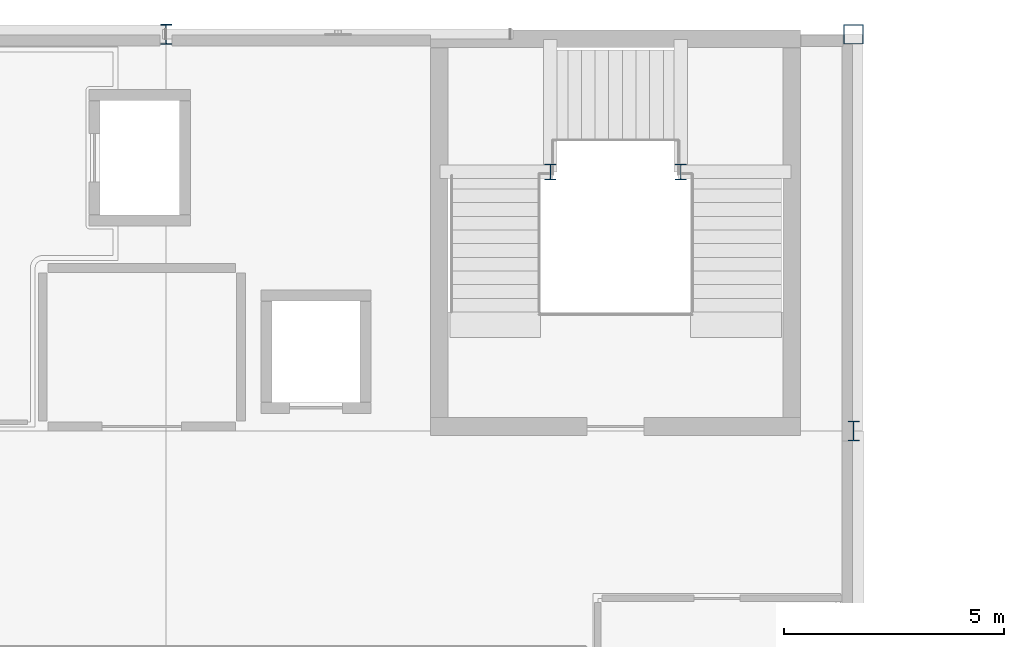
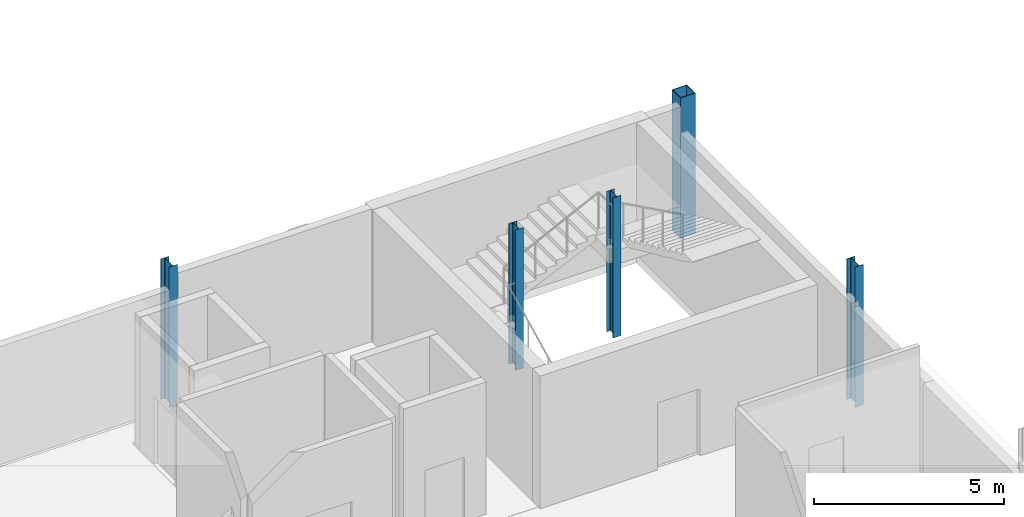
# One storey, part 9 of 85: 5 columns.
"""IFC4 building model written with IfcOpenShell, lengths in metres."""

from ifc_helpers import new_model, si_unit, derived_unit, direction, frame, origin, origin_2d, place, context, subcontext, project, spatial, hollow_rectangle, i_section, extrude, material, material_profile, profile_set, type_object, element, save


model = new_model("IFC4")

# Units and contexts
model_context = context("Model", 3, precision=1e-05, world=origin(), true_north=direction((0.0, 1.0)))
body_context = subcontext(model_context, "Body", "Model", "MODEL_VIEW")
ifc_project = project(units=[si_unit("LENGTHUNIT", "METRE"), si_unit("AREAUNIT", "SQUARE_METRE"), si_unit("VOLUMEUNIT", "CUBIC_METRE"), si_unit("PLANEANGLEUNIT", "RADIAN"), si_unit("MASSUNIT", "GRAM", prefix="KILO"), derived_unit("THERMALTRANSMITTANCEUNIT", [(si_unit("POWERUNIT", "WATT"), 1), (si_unit("LENGTHUNIT", "METRE"), -2), (si_unit("THERMODYNAMICTEMPERATUREUNIT", "KELVIN"), -1)])], contexts=[model_context])

# Site, building, storey
site_placement = place(None, origin())
site = spatial("IfcSite", under=ifc_project, at=site_placement, CompositionType="ELEMENT")
building_placement = place(site_placement, origin())
building = spatial("IfcBuilding", under=site, at=building_placement, Name="Nallur Shell Playhouse", CompositionType="ELEMENT")
storey_placement = place(building_placement, frame((0.0, 0.0, 19.800048828125)))
storey = spatial("IfcBuildingStorey", under=building, at=storey_placement, Name="L05", CompositionType="ELEMENT", Elevation=19.800048828125)

# Columns
ifc_material = material(Name="Steel E350", Category="steel")
ifc_material_profile_1 = material_profile(ifc_material, hollow_rectangle(XDim=0.449951171875, YDim=0.449951171875, WallThickness=0.02001953125, at=origin_2d()), Name="BOX 450x450x20")
ifc_profile_set_1 = profile_set([ifc_material_profile_1], Name="Steel E350")
column_type_1 = type_object("IfcColumnType", Name="CL-ST-BOX450", PredefinedType="COLUMN", material=ifc_profile_set_1)
column_placement = place(storey_placement, frame((103.0, 83.0, 0.0), z_axis=(0.0, 0.0, 1.0), x_axis=(1.0, 0.0, 0.0)))
element("IfcColumn", 1, at=column_placement, inside=storey, type_object=column_type_1, Name="Column 13-K (L05)", PredefinedType="COLUMN", context=body_context, shape_type="SweptSolid", body=[
    extrude(hollow_rectangle(XDim=0.449951171875, YDim=0.449951171875, WallThickness=0.02001953125, at=origin_2d()), origin(), (0.0, 0.0, 1.0), 4.5),
])
ifc_material_profile_2 = material_profile(ifc_material, i_section(OverallWidth=0.25, OverallDepth=0.35009765625, WebThickness=0.010009765625, FlangeThickness=0.01171875, FilletRadius=0.011962890625, at=origin_2d()), Name="ISHB 350")
ifc_profile_set_2 = profile_set([ifc_material_profile_2], Name="Steel E350")
column_type_2 = type_object("IfcColumnType", Name="CL-ST-ISHB350", PredefinedType="COLUMN", material=ifc_profile_set_2)
for number, where, z_axis, x_axis, name in (
    (2, (96.1201171875, 79.8798828125, 0.0), (0.0, 0.0, 1.0), (1.0, 0.0, 0.0), "Column STW-JC-4-W (L05)"),
    (3, (99.080078125, 79.8798828125, 0.0), (0.0, 0.0, 1.0), (1.0, 0.0, 0.0), "Column STW-JC-4-E (L05)"),
):
    element("IfcColumn", number, at=place(storey_placement, frame(where, z_axis=z_axis, x_axis=x_axis)), inside=storey, type_object=column_type_2, Name=name, PredefinedType="COLUMN", context=body_context, shape_type="SweptSolid", body=[
        extrude(i_section(OverallWidth=0.25, OverallDepth=0.35009765625, WebThickness=0.010009765625, FlangeThickness=0.01171875, FilletRadius=0.011962890625, at=origin_2d()), origin(), (0.0, 0.0, 1.0), 4.5),
    ])
ifc_material_profile_3 = material_profile(ifc_material, i_section(OverallWidth=0.25, OverallDepth=0.449951171875, WebThickness=0.01123046875, FlangeThickness=0.013671875, FilletRadius=0.014892578125, at=origin_2d()), Name="ISHB 450")
ifc_profile_set_3 = profile_set([ifc_material_profile_3], Name="Steel E350")
column_type_3 = type_object("IfcColumnType", Name="CL-ST-ISHB450", PredefinedType="COLUMN", material=ifc_profile_set_3)
for number, where, z_axis, x_axis, name in (
    (4, (87.39990234375, 83.0, 0.0), (0.0, 0.0, 1.0), (1.0, 0.0, 0.0), "Column 11-K (L05)"),
    (5, (103.0, 74.0, 0.0), (0.0, 0.0, 1.0), (1.0, 0.0, 0.0), "Column 13-J (L05)"),
):
    element("IfcColumn", number, at=place(storey_placement, frame(where, z_axis=z_axis, x_axis=x_axis)), inside=storey, type_object=column_type_3, Name=name, PredefinedType="COLUMN", context=body_context, shape_type="SweptSolid", body=[
        extrude(i_section(OverallWidth=0.25, OverallDepth=0.449951171875, WebThickness=0.01123046875, FlangeThickness=0.013671875, FilletRadius=0.014892578125, at=origin_2d()), origin(), (0.0, 0.0, 1.0), 4.5),
    ])

save(model, "model.ifc")
